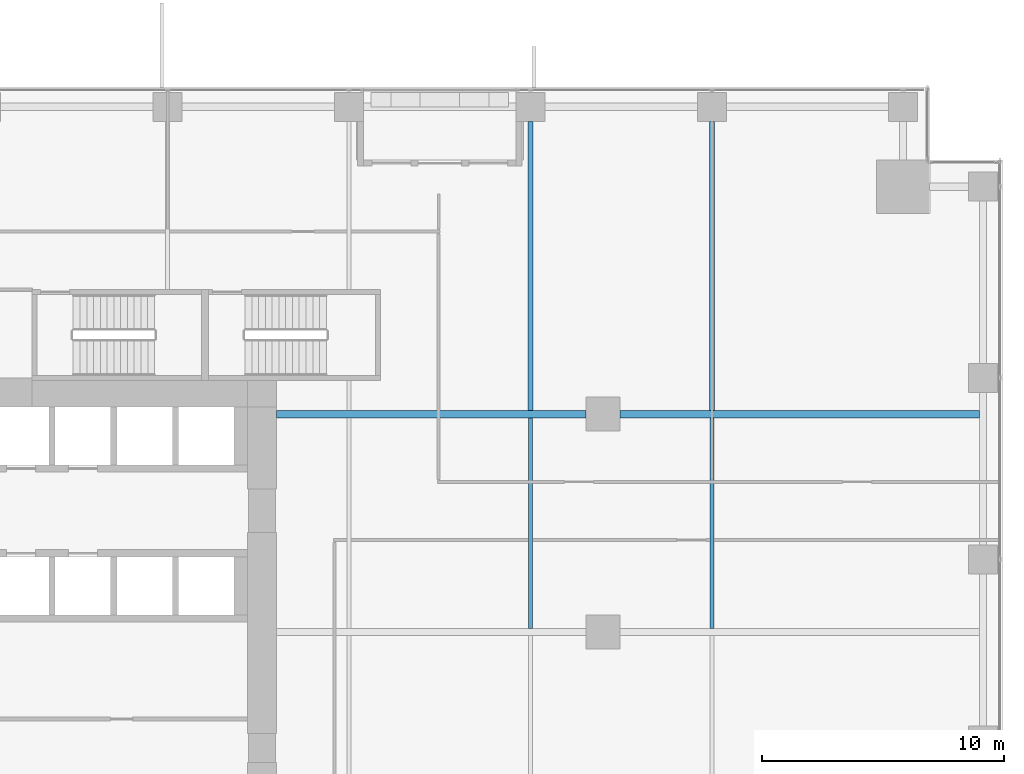
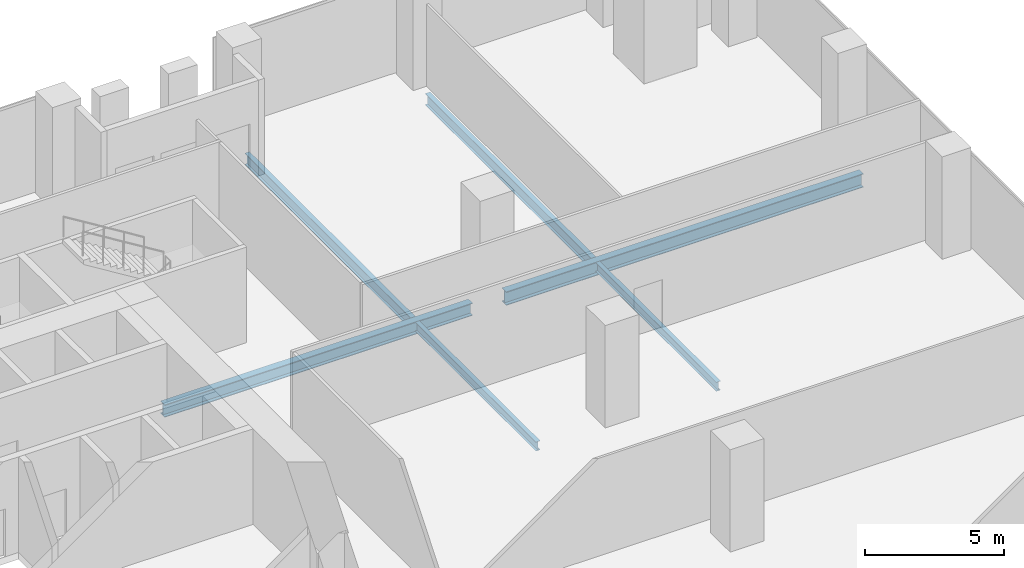
# One storey, part 17 of 33: 6 beams.
"""IFC4 building model written with IfcOpenShell, lengths in metres."""

from ifc_helpers import new_model, si_unit, direction, frame, origin, origin_2d, place, context, subcontext, project, spatial, i_section, extrude, source, transform, mapped, material, material_profile, profile_set, type_object, element, save


model = new_model("IFC4")

# Units and contexts
model_context = context("Model", 3, precision=1e-05, world=origin(), true_north=direction((0.0, 1.0)))
body_context = subcontext(model_context, "Body", "Model", "MODEL_VIEW")
ifc_project = project(units=[si_unit("LENGTHUNIT", "METRE"), si_unit("AREAUNIT", "SQUARE_METRE"), si_unit("VOLUMEUNIT", "CUBIC_METRE"), si_unit("PLANEANGLEUNIT", "RADIAN"), si_unit("MASSUNIT", "GRAM", prefix="KILO")], contexts=[model_context])

# Site, building, storey
site_placement = place(None, origin())
site = spatial("IfcSite", under=ifc_project, at=site_placement, CompositionType="ELEMENT")
building_placement = place(site_placement, origin())
building = spatial("IfcBuilding", under=site, at=building_placement, Name="Khomas Fold Tower", CompositionType="ELEMENT")
storey_placement = place(building_placement, frame((0.0, 0.0, 91.5)))
storey = spatial("IfcBuildingStorey", under=building, at=storey_placement, Name="L19", CompositionType="ELEMENT", Elevation=91.5)

# Beams
ifc_material_1 = material(Name="Steel S355", Category="steel")
ifc_material_profile_1 = material_profile(ifc_material_1, i_section(OverallWidth=0.300048828125, OverallDepth=0.550048828125, WebThickness=0.014892578125, FlangeThickness=0.029052734375, at=origin_2d()), Name="HE 550 B")
ifc_profile_set_1 = profile_set([ifc_material_profile_1], Name="Steel S355")
beam_type_1 = type_object("IfcBeamType", Name="HE 550 B beam GB4", PredefinedType="BEAM", material=ifc_profile_set_1)
shared_shape_1 = source(origin(), body_context, "Body", "SweptSolid", [
    extrude(i_section(OverallWidth=0.300048828125, OverallDepth=0.550048828125, WebThickness=0.014892578125, FlangeThickness=0.029052734375, at=origin_2d()), origin(), (0.0, 0.0, 1.0), 12.800048828125),
])
beam_1_placement = place(storey_placement, frame((24.0, 40.5, -0.574951171875), z_axis=(1.0, 0.0, 0.0), x_axis=(0.0, 1.0, 0.0)))
element("IfcBeam", 1, at=beam_1_placement, inside=storey, type_object=beam_type_1, Name="GB4", PredefinedType="BEAM", context=body_context, shape_type="MappedRepresentation", body=[
    mapped(shared_shape_1, transform((0.0, 0.0, 0.0))),
])
ifc_material_2 = material(Name="Steel S355", Category="steel")
ifc_material_profile_2 = material_profile(ifc_material_2, i_section(OverallWidth=0.179931640625, OverallDepth=0.39990234375, WebThickness=0.008544921875, FlangeThickness=0.013427734375, at=origin_2d()), Name="IPE 400")
ifc_profile_set_2 = profile_set([ifc_material_profile_2], Name="Steel S355")
beam_type_2 = type_object("IfcBeamType", Name="IPE 400 beam JB3", PredefinedType="BEAM", material=ifc_profile_set_2)
shared_shape_2 = source(origin(), body_context, "Body", "SweptSolid", [
    extrude(i_section(OverallWidth=0.179931640625, OverallDepth=0.39990234375, WebThickness=0.008544921875, FlangeThickness=0.013427734375, at=origin_2d()), origin(), (0.0, 0.0, 1.0), 8.7001953125),
])
for number, where, z_axis, x_axis, name in (
    (2, (34.5, 31.64990234375, -0.5), (0.0, 1.0, 0.0), (-1.0, 0.0, 0.0), "JB3"),
    (3, (42.0, 31.64990234375, -0.5), (0.0, 1.0, 0.0), (-1.0, 0.0, 0.0), "JB3"),
):
    element("IfcBeam", number, at=place(storey_placement, frame(where, z_axis=z_axis, x_axis=x_axis)), inside=storey, type_object=beam_type_2, Name=name, PredefinedType="BEAM", context=body_context, shape_type="MappedRepresentation", body=[
        mapped(shared_shape_2, transform((0.0, 0.0, 0.0))),
    ])
ifc_material_3 = material(Name="Steel S355", Category="steel")
ifc_material_profile_3 = material_profile(ifc_material_3, i_section(OverallWidth=0.300048828125, OverallDepth=0.60009765625, WebThickness=0.015380859375, FlangeThickness=0.030029296875, at=origin_2d()), Name="HE 600 B")
ifc_profile_set_3 = profile_set([ifc_material_profile_3], Name="Steel S355")
beam_type_3 = type_object("IfcBeamType", Name="HE 600 B beam GB5", PredefinedType="BEAM", material=ifc_profile_set_3)
shared_shape_3 = source(origin(), body_context, "Body", "SweptSolid", [
    extrude(i_section(OverallWidth=0.300048828125, OverallDepth=0.60009765625, WebThickness=0.015380859375, FlangeThickness=0.030029296875, at=origin_2d()), origin(), (0.0, 0.0, 1.0), 14.85009765625),
])
beam_2_placement = place(storey_placement, frame((38.199951171875, 40.5, -0.60009765625), z_axis=(1.0, 0.0, 0.0), x_axis=(0.0, 1.0, 0.0)))
element("IfcBeam", 4, at=beam_2_placement, inside=storey, type_object=beam_type_3, Name="GB5", PredefinedType="BEAM", context=body_context, shape_type="MappedRepresentation", body=[
    mapped(shared_shape_3, transform((0.0, 0.0, 0.0))),
])
ifc_material_4 = material(Name="Steel S355", Category="steel")
ifc_material_profile_4 = material_profile(ifc_material_4, i_section(OverallWidth=0.199951171875, OverallDepth=0.5, WebThickness=0.01025390625, FlangeThickness=0.01611328125, at=origin_2d()), Name="IPE 500")
ifc_profile_set_4 = profile_set([ifc_material_profile_4], Name="Steel S355")
beam_type_4 = type_object("IfcBeamType", Name="IPE 500 beam JB5", PredefinedType="BEAM", material=ifc_profile_set_4)
shared_shape_4 = source(origin(), body_context, "Body", "SweptSolid", [
    extrude(i_section(OverallWidth=0.199951171875, OverallDepth=0.5, WebThickness=0.01025390625, FlangeThickness=0.01611328125, at=origin_2d()), origin(), (0.0, 0.0, 1.0), 11.9501953125),
])
for number, where, z_axis, x_axis, name in (
    (5, (34.5, 40.64990234375, -0.550048828125), (0.0, 1.0, 0.0), (-1.0, 0.0, 0.0), "JB5"),
    (6, (42.0, 40.64990234375, -0.550048828125), (0.0, 1.0, 0.0), (-1.0, 0.0, 0.0), "JB5"),
):
    element("IfcBeam", number, at=place(storey_placement, frame(where, z_axis=z_axis, x_axis=x_axis)), inside=storey, type_object=beam_type_4, Name=name, PredefinedType="BEAM", context=body_context, shape_type="MappedRepresentation", body=[
        mapped(shared_shape_4, transform((0.0, 0.0, 0.0))),
    ])

save(model, "model.ifc")
